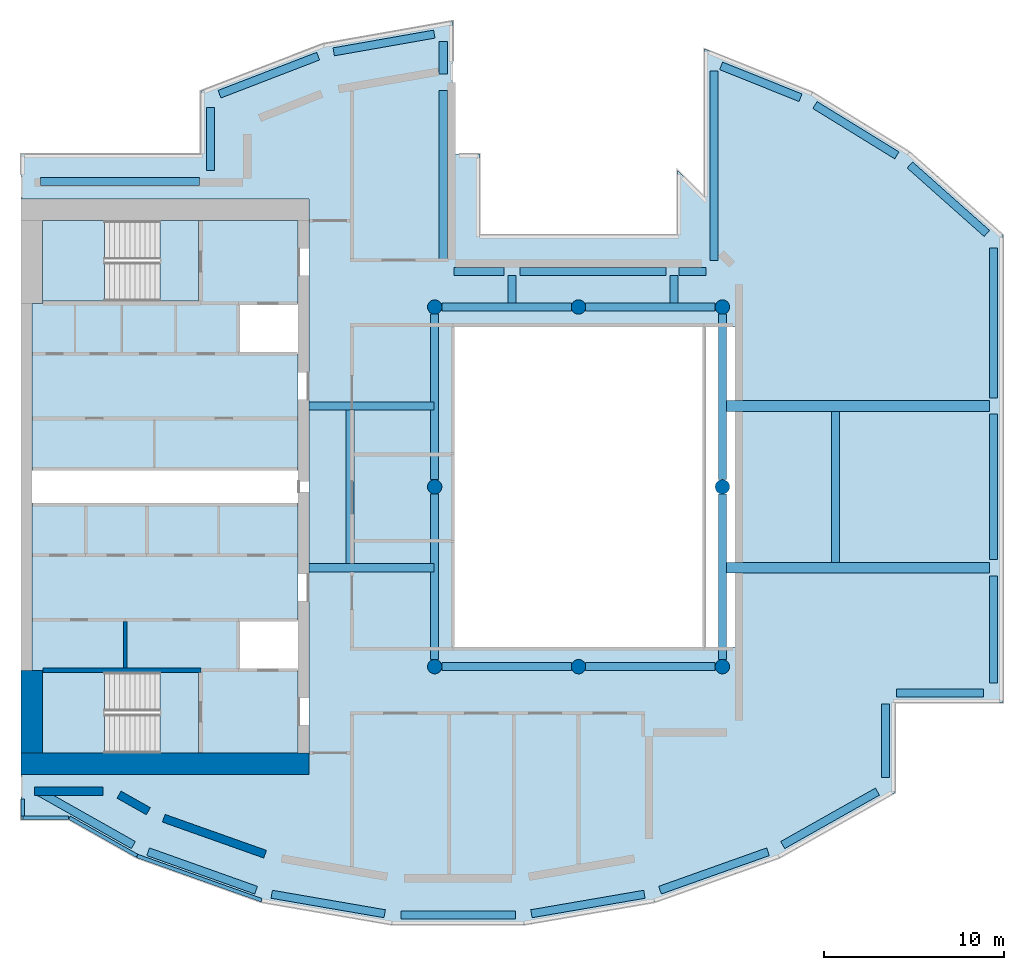
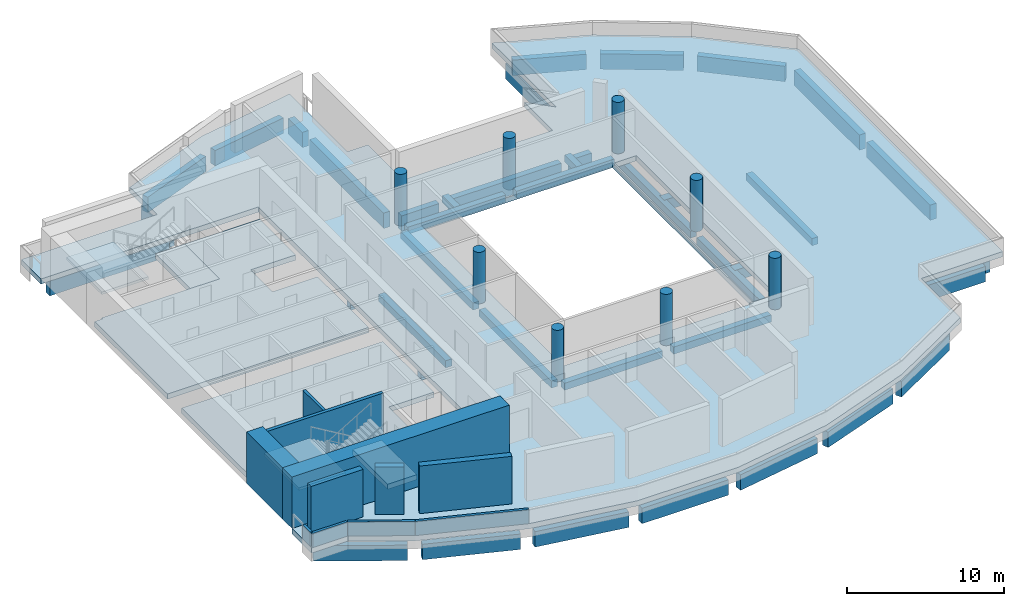
# One storey, part 1 of 8: 41 beams, 11 walls, 8 columns, 7 slabs, 2 elements without a shape of their own.
"""IFC4 building model written with IfcOpenShell, lengths in metres."""

from ifc_helpers import new_model, si_unit, direction, frame, frame_2d, origin, origin_2d, place, context, subcontext, project, spatial, polyline, rectangle, circle, outline, extrude, material, layer, layer_set, material_profile, profile_set, type_object, element, aggregate, save


model = new_model("IFC4")

# Units and contexts
model_context = context("Model", 3, precision=1e-05, world=origin(), true_north=direction((0.0, 1.0)))
body_context = subcontext(model_context, "Body", "Model", "MODEL_VIEW")
ifc_project = project(units=[si_unit("LENGTHUNIT", "METRE"), si_unit("AREAUNIT", "SQUARE_METRE"), si_unit("VOLUMEUNIT", "CUBIC_METRE"), si_unit("PLANEANGLEUNIT", "RADIAN"), si_unit("MASSUNIT", "GRAM", prefix="KILO")], contexts=[model_context])

# Site, building, storey
site_placement = place(None, origin())
site = spatial("IfcSite", under=ifc_project, at=site_placement, CompositionType="ELEMENT")
building_placement = place(site_placement, origin())
building = spatial("IfcBuilding", under=site, at=building_placement, Name="Cypress Arch Tower", CompositionType="ELEMENT")
storey_placement = place(building_placement, frame((0.0, 0.0, 343.0)))
storey = spatial("IfcBuildingStorey", under=building, at=storey_placement, Name="L78", CompositionType="ELEMENT", Elevation=343.0)

# Columns
ifc_material_1 = material(Name="Concrete C60/75", Category="concrete")
ifc_material_profile_1 = material_profile(ifc_material_1, circle(Radius=0.39990234375, at=origin_2d()), Name="RC D800")
ifc_profile_set_1 = profile_set([ifc_material_profile_1], Name="Concrete C60/75")
column_type = type_object("IfcColumnType", Name="Column RC D800 Concrete C60/75", PredefinedType="COLUMN", material=ifc_profile_set_1)
for number, where, z_axis, x_axis, name in (
    (1, (-7.0, -10.0, 0.0), (0.0, 0.0, 1.0), (1.0, 0.0, 0.0), "Column L78 RNG-L78-G-7-10"),
    (2, (-7.0, 0.0, 0.0), (0.0, 0.0, 1.0), (1.0, 0.0, 0.0), "Column L78 RNG-L78-G-7+0"),
    (3, (-7.0, 10.0, 0.0), (0.0, 0.0, 1.0), (1.0, 0.0, 0.0), "Column L78 RNG-L78-G-7+10"),
    (4, (1.0, -10.0, 0.0), (0.0, 0.0, 1.0), (1.0, 0.0, 0.0), "Column L78 RNG-L78-G+1-10"),
    (5, (1.0, 10.0, 0.0), (0.0, 0.0, 1.0), (1.0, 0.0, 0.0), "Column L78 RNG-L78-G+1+10"),
    (6, (9.0, -10.0, 0.0), (0.0, 0.0, 1.0), (1.0, 0.0, 0.0), "Column L78 RNG-L78-G+9-10"),
    (7, (9.0, 0.0, 0.0), (0.0, 0.0, 1.0), (1.0, 0.0, 0.0), "Column L78 RNG-L78-G+9+0"),
    (8, (9.0, 10.0, 0.0), (0.0, 0.0, 1.0), (1.0, 0.0, 0.0), "Column L78 RNG-L78-G+9+10"),
):
    element("IfcColumn", number, at=place(storey_placement, frame(where, z_axis=z_axis, x_axis=x_axis)), inside=storey, type_object=column_type, Name=name, PredefinedType="COLUMN", context=body_context, shape_type="SweptSolid", body=[
        extrude(circle(Radius=0.39990234375, at=origin_2d()), origin(), (0.0, 0.0, 1.0), 4.0),
    ])

# Beams
ifc_material_2 = material(Name="Concrete C50/60", Category="concrete")
ifc_material_profile_2 = material_profile(ifc_material_2, rectangle(XDim=0.449951171875, YDim=0.550048828125, at=origin_2d()), Name="RC 450x550")
ifc_profile_set_2 = profile_set([ifc_material_profile_2], Name="Concrete C50/60")
beam_type_1 = type_object("IfcBeamType", Name="Floor beam RC 450x550 Concrete C50/60", PredefinedType="BEAM", material=ifc_profile_set_2)
for number, where, z_axis, x_axis, name in (
    (9, (-7.0, -9.60009765625, -0.675048828125), (0.0, 1.0, 0.0), (-1.0, 0.0, 0.0), "Floor beam L78 RB001"),
    (10, (-7.0, 0.39990234375, -0.675048828125), (0.0, 1.0, 0.0), (-1.0, 0.0, 0.0), "Floor beam L78 RB002"),
    (11, (9.0, -9.60009765625, -0.675048828125), (0.0, 1.0, 0.0), (-1.0, 0.0, 0.0), "Floor beam L78 RB003"),
    (12, (9.0, 0.39990234375, -0.675048828125), (0.0, 1.0, 0.0), (-1.0, 0.0, 0.0), "Floor beam L78 RB004"),
):
    element("IfcBeam", number, at=place(storey_placement, frame(where, z_axis=z_axis, x_axis=x_axis)), inside=storey, type_object=beam_type_1, Name=name, PredefinedType="BEAM", context=body_context, shape_type="SweptSolid", body=[
        extrude(rectangle(XDim=0.449951171875, YDim=0.550048828125, at=origin_2d()), origin(), (0.0, 0.0, 1.0), 9.2001953125),
    ])
for number, where, z_axis, x_axis, name in (
    (13, (-6.60009765625, -10.0, -0.675048828125), (1.0, 0.0, 0.0), (0.0, 1.0, 0.0), "Floor beam L78 RB005"),
    (14, (1.39990234375, -10.0, -0.675048828125), (1.0, 0.0, 0.0), (0.0, 1.0, 0.0), "Floor beam L78 RB006"),
    (15, (-6.60009765625, 10.0, -0.675048828125), (1.0, 0.0, 0.0), (0.0, 1.0, 0.0), "Floor beam L78 RB007"),
    (16, (1.39990234375, 10.0, -0.675048828125), (1.0, 0.0, 0.0), (0.0, 1.0, 0.0), "Floor beam L78 RB008"),
):
    element("IfcBeam", number, at=place(storey_placement, frame(where, z_axis=z_axis, x_axis=x_axis)), inside=storey, type_object=beam_type_1, Name=name, PredefinedType="BEAM", context=body_context, shape_type="SweptSolid", body=[
        extrude(rectangle(XDim=0.449951171875, YDim=0.550048828125, at=origin_2d()), origin(), (0.0, 0.0, 1.0), 7.2001953125),
    ])
for number, where, z_axis, x_axis, name in (
    (17, (-14.0, -4.5, -0.675048828125), (1.0, 0.0, 0.0), (0.0, 1.0, 0.0), "Floor beam L78 FB009"),
    (18, (-14.0, 4.5, -0.675048828125), (1.0, 0.0, 0.0), (0.0, 1.0, 0.0), "Floor beam L78 FB011"),
):
    element("IfcBeam", number, at=place(storey_placement, frame(where, z_axis=z_axis, x_axis=x_axis)), inside=storey, type_object=beam_type_1, Name=name, PredefinedType="BEAM", context=body_context, shape_type="SweptSolid", body=[
        extrude(rectangle(XDim=0.449951171875, YDim=0.550048828125, at=origin_2d()), origin(), (0.0, 0.0, 1.0), 6.949951171875),
    ])
beam_1_placement = place(storey_placement, frame((-11.699951171875, -4.27490234375, -0.675048828125), z_axis=(0.0, 1.0, 0.0), x_axis=(-1.0, 0.0, 0.0)))
element("IfcBeam", 19, at=beam_1_placement, inside=storey, type_object=beam_type_1, Name="Floor beam L78 FB013", PredefinedType="BEAM", context=body_context, shape_type="SweptSolid", body=[
    extrude(rectangle(XDim=0.449951171875, YDim=0.550048828125, at=origin_2d()), origin(), (0.0, 0.0, 1.0), 8.5498046875),
])
for number, where, z_axis, x_axis, name in (
    (20, (-2.699951171875, 10.22509765625, -0.675048828125), (0.0, 1.0, 0.0), (-1.0, 0.0, 0.0), "Floor beam L78 FB014"),
    (21, (6.300048828125, 10.22509765625, -0.675048828125), (0.0, 1.0, 0.0), (-1.0, 0.0, 0.0), "Floor beam L78 FB015"),
):
    element("IfcBeam", number, at=place(storey_placement, frame(where, z_axis=z_axis, x_axis=x_axis)), inside=storey, type_object=beam_type_1, Name=name, PredefinedType="BEAM", context=body_context, shape_type="SweptSolid", body=[
        extrude(rectangle(XDim=0.449951171875, YDim=0.550048828125, at=origin_2d()), origin(), (0.0, 0.0, 1.0), 1.52490234375),
    ])
beam_2_placement = place(storey_placement, frame((15.300048828125, -4.199951171875, -0.675048828125), z_axis=(0.0, 1.0, 0.0), x_axis=(-1.0, 0.0, 0.0)))
element("IfcBeam", 22, at=beam_2_placement, inside=storey, type_object=beam_type_1, Name="Floor beam L78 FB016", PredefinedType="BEAM", context=body_context, shape_type="SweptSolid", body=[
    extrude(rectangle(XDim=0.449951171875, YDim=0.550048828125, at=origin_2d()), origin(), (0.0, 0.0, 1.0), 8.39990234375),
])
ifc_material_3 = material(Name="Concrete C50/60", Category="concrete")
ifc_material_profile_3 = material_profile(ifc_material_3, rectangle(XDim=0.60009765625, YDim=0.85009765625, at=origin_2d()), Name="RC 600x850")
ifc_profile_set_3 = profile_set([ifc_material_profile_3], Name="Concrete C50/60")
beam_type_2 = type_object("IfcBeamType", Name="Floor beam RC 600x850 Concrete C50/60", PredefinedType="BEAM", material=ifc_profile_set_3)
for number, where, z_axis, x_axis, name in (
    (23, (9.050048828125, -4.5, -0.824951171875), (1.0, 0.0, 0.0), (0.0, 1.0, 0.0), "Floor beam L78 FB010"),
    (24, (9.050048828125, 4.5, -0.824951171875), (1.0, 0.0, 0.0), (0.0, 1.0, 0.0), "Floor beam L78 FB012"),
):
    element("IfcBeam", number, at=place(storey_placement, frame(where, z_axis=z_axis, x_axis=x_axis)), inside=storey, type_object=beam_type_2, Name=name, PredefinedType="BEAM", context=body_context, shape_type="SweptSolid", body=[
        extrude(rectangle(XDim=0.60009765625, YDim=0.85009765625, at=origin_2d()), origin(), (0.0, 0.0, 1.0), 14.800048828125),
    ])
ifc_material_4 = material(Name="Concrete C50/60", Category="concrete")
ifc_material_profile_4 = material_profile(ifc_material_4, rectangle(XDim=0.449951171875, YDim=1.199951171875, at=origin_2d()), Name="RC 450x1200")
ifc_profile_set_4 = profile_set([ifc_material_profile_4], Name="Concrete C50/60")
beam_type_3 = type_object("IfcBeamType", Name="Spandrel beam RC 450x1200 Concrete C50/60", PredefinedType="SPANDREL", material=ifc_profile_set_4)
beam_3_placement = place(storey_placement, frame((8.52490234375, 23.138427734375, -1.550048828125), z_axis=(0.0, -1.0, 0.0), x_axis=(1.0, 0.0, 0.0)))
element("IfcBeam", 25, at=beam_3_placement, inside=storey, type_object=beam_type_3, Name="Spandrel beam L78 BC00-0", PredefinedType="SPANDREL", context=body_context, shape_type="SweptSolid", body=[
    extrude(rectangle(XDim=0.449951171875, YDim=1.199951171875, at=origin_2d()), origin(), (0.0, 0.0, 1.0), 10.55078125),
])
beam_4_placement = place(storey_placement, frame((8.081298828125, 11.97509765625, -1.550048828125), z_axis=(-1.0, 0.0, 0.0), x_axis=(0.0, -1.0, 0.0)))
element("IfcBeam", 26, at=beam_4_placement, inside=storey, type_object=beam_type_3, Name="Spandrel beam L78 BC01-0", PredefinedType="SPANDREL", context=body_context, shape_type="SweptSolid", body=[
    extrude(rectangle(XDim=0.449951171875, YDim=1.199951171875, at=origin_2d()), origin(), (0.0, 0.0, 1.0), 1.5),
])
beam_5_placement = place(storey_placement, frame((5.85009765625, 11.97509765625, -1.550048828125), z_axis=(-1.0, 0.0, 0.0), x_axis=(0.0, -1.0, 0.0)))
element("IfcBeam", 27, at=beam_5_placement, inside=storey, type_object=beam_type_3, Name="Spandrel beam L78 BC01-1", PredefinedType="SPANDREL", context=body_context, shape_type="SweptSolid", body=[
    extrude(rectangle(XDim=0.449951171875, YDim=1.199951171875, at=origin_2d()), origin(), (0.0, 0.0, 1.0), 8.10009765625),
])
beam_6_placement = place(storey_placement, frame((-3.14990234375, 11.97509765625, -1.550048828125), z_axis=(-1.0, 0.0, 0.0), x_axis=(0.0, -1.0, 0.0)))
element("IfcBeam", 28, at=beam_6_placement, inside=storey, type_object=beam_type_3, Name="Spandrel beam L78 BC01-2", PredefinedType="SPANDREL", context=body_context, shape_type="SweptSolid", body=[
    extrude(rectangle(XDim=0.449951171875, YDim=1.199951171875, at=origin_2d()), origin(), (0.0, 0.0, 1.0), 2.762451171875),
])
beam_7_placement = place(storey_placement, frame((-6.52490234375, 12.587646484375, -1.550048828125), z_axis=(0.0, 1.0, 0.0), x_axis=(-1.0, 0.0, 0.0)))
element("IfcBeam", 29, at=beam_7_placement, inside=storey, type_object=beam_type_3, Name="Spandrel beam L78 BC02-0", PredefinedType="SPANDREL", context=body_context, shape_type="SweptSolid", body=[
    extrude(rectangle(XDim=0.449951171875, YDim=1.199951171875, at=origin_2d()), origin(), (0.0, 0.0, 1.0), 9.46240234375),
])
beam_8_placement = place(storey_placement, frame((-6.52490234375, 22.949951171875, -1.550048828125), z_axis=(0.0, 1.0, 0.0), x_axis=(-1.0, 0.0, 0.0)))
element("IfcBeam", 30, at=beam_8_placement, inside=storey, type_object=beam_type_3, Name="Spandrel beam L78 BC02-1", PredefinedType="SPANDREL", context=body_context, shape_type="SweptSolid", body=[
    extrude(rectangle(XDim=0.449951171875, YDim=1.199951171875, at=origin_2d()), origin(), (0.0, 0.0, 1.0), 1.810302734375),
])
beam_9_placement = place(storey_placement, frame((-7.021484375, 25.1767578125, -1.550048828125), z_axis=(-0.984798704294, -0.173699487682, 0.0), x_axis=(0.173699487682, -0.984798704294, 0.0)))
element("IfcBeam", 31, at=beam_9_placement, inside=storey, type_object=beam_type_3, Name="Spandrel beam L78 BC03-0", PredefinedType="SPANDREL", context=body_context, shape_type="SweptSolid", body=[
    extrude(rectangle(XDim=0.449951171875, YDim=1.199951171875, at=origin_2d()), origin(), (0.0, 0.0, 1.0), 5.678466796875),
])
beam_10_placement = place(storey_placement, frame((-13.48046875, 23.94921875, -1.550048828125), z_axis=(-0.933138853319, -0.359516175472, 0.0), x_axis=(0.359516175472, -0.933138853319, 0.0)))
element("IfcBeam", 32, at=beam_10_placement, inside=storey, type_object=beam_type_3, Name="Spandrel beam L78 BC04-0", PredefinedType="SPANDREL", context=body_context, shape_type="SweptSolid", body=[
    extrude(rectangle(XDim=0.449951171875, YDim=1.199951171875, at=origin_2d()), origin(), (0.0, 0.0, 1.0), 5.878173828125),
])
beam_11_placement = place(storey_placement, frame((-19.47509765625, 21.09375, -1.550048828125), z_axis=(0.0, -1.0, 0.0), x_axis=(1.0, 0.0, 0.0)))
element("IfcBeam", 33, at=beam_11_placement, inside=storey, type_object=beam_type_3, Name="Spandrel beam L78 BC05-0", PredefinedType="SPANDREL", context=body_context, shape_type="SweptSolid", body=[
    extrude(rectangle(XDim=0.449951171875, YDim=1.199951171875, at=origin_2d()), origin(), (0.0, 0.0, 1.0), 3.506103515625),
])
beam_12_placement = place(storey_placement, frame((-20.087646484375, 16.97509765625, -1.550048828125), z_axis=(-1.0, 0.0, 0.0), x_axis=(0.0, -1.0, 0.0)))
element("IfcBeam", 34, at=beam_12_placement, inside=storey, type_object=beam_type_3, Name="Spandrel beam L78 BC06-0", PredefinedType="SPANDREL", context=body_context, shape_type="SweptSolid", body=[
    extrude(rectangle(XDim=0.449951171875, YDim=1.199951171875, at=origin_2d()), origin(), (0.0, 0.0, 1.0), 8.828125),
])
beam_13_placement = place(storey_placement, frame((-29.02099609375, -16.94921875, -1.550048828125), z_axis=(0.871059543975, -0.491177433165, 0.0), x_axis=(0.491177433165, 0.871059543975, 0.0)))
element("IfcBeam", 35, at=beam_13_placement, inside=storey, type_object=beam_type_3, Name="Spandrel beam L78 BC08-0", PredefinedType="SPANDREL", context=body_context, shape_type="SweptSolid", body=[
    extrude(rectangle(XDim=0.449951171875, YDim=1.199951171875, at=origin_2d()), origin(), (0.0, 0.0, 1.0), 6.045654296875),
])
beam_14_placement = place(storey_placement, frame((-22.93603515625, -20.2919921875, -1.550048828125), z_axis=(0.942120065582, -0.33527568064, 0.0), x_axis=(0.33527568064, 0.942120065582, 0.0)))
element("IfcBeam", 36, at=beam_14_placement, inside=storey, type_object=beam_type_3, Name="Spandrel beam L78 BC09-0", PredefinedType="SPANDREL", context=body_context, shape_type="SweptSolid", body=[
    extrude(rectangle(XDim=0.449951171875, YDim=1.199951171875, at=origin_2d()), origin(), (0.0, 0.0, 1.0), 6.373046875),
])
beam_15_placement = place(storey_placement, frame((-16.061279296875, -22.656982421875, -1.550048828125), z_axis=(0.985502990778, -0.169658053646, 0.0), x_axis=(0.169658053646, 0.985502990778, 0.0)))
element("IfcBeam", 37, at=beam_15_placement, inside=storey, type_object=beam_type_3, Name="Spandrel beam L78 BC10-0", PredefinedType="SPANDREL", context=body_context, shape_type="SweptSolid", body=[
    extrude(rectangle(XDim=0.449951171875, YDim=1.199951171875, at=origin_2d()), origin(), (0.0, 0.0, 1.0), 6.373291015625),
])
beam_16_placement = place(storey_placement, frame((-8.883544921875, -23.81494140625, -1.550048828125), z_axis=(1.0, 0.0, 0.0), x_axis=(0.0, 1.0, 0.0)))
element("IfcBeam", 38, at=beam_16_placement, inside=storey, type_object=beam_type_3, Name="Spandrel beam L78 BC11-0", PredefinedType="SPANDREL", context=body_context, shape_type="SweptSolid", body=[
    extrude(rectangle(XDim=0.449951171875, YDim=1.199951171875, at=origin_2d()), origin(), (0.0, 0.0, 1.0), 6.366943359375),
])
beam_17_placement = place(storey_placement, frame((-1.619873046875, -23.73828125, -1.550048828125), z_axis=(0.985504093315, 0.169651649149, 0.0), x_axis=(-0.169651649149, 0.985504093315, 0.0)))
element("IfcBeam", 39, at=beam_17_placement, inside=storey, type_object=beam_type_3, Name="Spandrel beam L78 BC12-0", PredefinedType="SPANDREL", context=body_context, shape_type="SweptSolid", body=[
    extrude(rectangle(XDim=0.449951171875, YDim=1.199951171875, at=origin_2d()), origin(), (0.0, 0.0, 1.0), 6.37353515625),
])
beam_18_placement = place(storey_placement, frame((5.531982421875, -22.4287109375, -1.550048828125), z_axis=(0.942115759102, 0.335287781541, 0.0), x_axis=(-0.335287781541, 0.942115759102, 0.0)))
element("IfcBeam", 40, at=beam_18_placement, inside=storey, type_object=beam_type_3, Name="Spandrel beam L78 BC13-0", PredefinedType="SPANDREL", context=body_context, shape_type="SweptSolid", body=[
    extrude(rectangle(XDim=0.449951171875, YDim=1.199951171875, at=origin_2d()), origin(), (0.0, 0.0, 1.0), 6.372802734375),
])
beam_19_placement = place(storey_placement, frame((12.35498046875, -19.918701171875, -1.550048828125), z_axis=(0.871059543975, 0.491177433165, 0.0), x_axis=(-0.491177433165, 0.871059543975, 0.0)))
element("IfcBeam", 41, at=beam_19_placement, inside=storey, type_object=beam_type_3, Name="Spandrel beam L78 BC14-0", PredefinedType="SPANDREL", context=body_context, shape_type="SweptSolid", body=[
    extrude(rectangle(XDim=0.449951171875, YDim=1.199951171875, at=origin_2d()), origin(), (0.0, 0.0, 1.0), 6.045654296875),
])
beam_20_placement = place(storey_placement, frame((18.074951171875, -16.172119140625, -1.550048828125), z_axis=(0.0, 1.0, 0.0), x_axis=(-1.0, 0.0, 0.0)))
element("IfcBeam", 42, at=beam_20_placement, inside=storey, type_object=beam_type_3, Name="Spandrel beam L78 BC15-0", PredefinedType="SPANDREL", context=body_context, shape_type="SweptSolid", body=[
    extrude(rectangle(XDim=0.449951171875, YDim=1.199951171875, at=origin_2d()), origin(), (0.0, 0.0, 1.0), 4.08447265625),
])
beam_21_placement = place(storey_placement, frame((18.6875, -11.47509765625, -1.550048828125), z_axis=(1.0, 0.0, 0.0), x_axis=(0.0, 1.0, 0.0)))
element("IfcBeam", 43, at=beam_21_placement, inside=storey, type_object=beam_type_3, Name="Spandrel beam L78 BC16-0", PredefinedType="SPANDREL", context=body_context, shape_type="SweptSolid", body=[
    extrude(rectangle(XDim=0.449951171875, YDim=1.199951171875, at=origin_2d()), origin(), (0.0, 0.0, 1.0), 4.828369140625),
])
beam_22_placement = place(storey_placement, frame((24.074951171875, -10.915771484375, -1.550048828125), z_axis=(0.0, 1.0, 0.0), x_axis=(-1.0, 0.0, 0.0)))
element("IfcBeam", 44, at=beam_22_placement, inside=storey, type_object=beam_type_3, Name="Spandrel beam L78 BC17-0", PredefinedType="SPANDREL", context=body_context, shape_type="SweptSolid", body=[
    extrude(rectangle(XDim=0.449951171875, YDim=1.199951171875, at=origin_2d()), origin(), (0.0, 0.0, 1.0), 5.9658203125),
])
beam_23_placement = place(storey_placement, frame((24.074951171875, -4.050048828125, -1.550048828125), z_axis=(0.0, 1.0, 0.0), x_axis=(-1.0, 0.0, 0.0)))
element("IfcBeam", 45, at=beam_23_placement, inside=storey, type_object=beam_type_3, Name="Spandrel beam L78 BC17-1", PredefinedType="SPANDREL", context=body_context, shape_type="SweptSolid", body=[
    extrude(rectangle(XDim=0.449951171875, YDim=1.199951171875, at=origin_2d()), origin(), (0.0, 0.0, 1.0), 8.10009765625),
])
beam_24_placement = place(storey_placement, frame((24.074951171875, 4.949951171875, -1.550048828125), z_axis=(0.0, 1.0, 0.0), x_axis=(-1.0, 0.0, 0.0)))
element("IfcBeam", 46, at=beam_24_placement, inside=storey, type_object=beam_type_3, Name="Spandrel beam L78 BC17-2", PredefinedType="SPANDREL", context=body_context, shape_type="SweptSolid", body=[
    extrude(rectangle(XDim=0.449951171875, YDim=1.199951171875, at=origin_2d()), origin(), (0.0, 0.0, 1.0), 8.32080078125),
])
beam_25_placement = place(storey_placement, frame((23.706298828125, 14.091796875, -1.550048828125), z_axis=(-0.747555073917, 0.664199827959, 0.0), x_axis=(-0.664199827959, -0.747555073917, 0.0)))
element("IfcBeam", 47, at=beam_25_placement, inside=storey, type_object=beam_type_3, Name="Spandrel beam L78 BC18-0", PredefinedType="SPANDREL", context=body_context, shape_type="SweptSolid", body=[
    extrude(rectangle(XDim=0.449951171875, YDim=1.199951171875, at=origin_2d()), origin(), (0.0, 0.0, 1.0), 5.72900390625),
])
beam_26_placement = place(storey_placement, frame((18.700927734375, 18.43359375, -1.550048828125), z_axis=(-0.851880940975, 0.523735488966, 0.0), x_axis=(-0.523735488966, -0.851880940975, 0.0)))
element("IfcBeam", 48, at=beam_26_placement, inside=storey, type_object=beam_type_3, Name="Spandrel beam L78 BC19-0", PredefinedType="SPANDREL", context=body_context, shape_type="SweptSolid", body=[
    extrude(rectangle(XDim=0.449951171875, YDim=1.199951171875, at=origin_2d()), origin(), (0.0, 0.0, 1.0), 5.344970703125),
])
beam_27_placement = place(storey_placement, frame((13.343994140625, 21.6376953125, -1.550048828125), z_axis=(-0.927944947452, 0.372717284948, 0.0), x_axis=(-0.372717284948, -0.927944947452, 0.0)))
element("IfcBeam", 49, at=beam_27_placement, inside=storey, type_object=beam_type_3, Name="Spandrel beam L78 BC20-0", PredefinedType="SPANDREL", context=body_context, shape_type="SweptSolid", body=[
    extrude(rectangle(XDim=0.449951171875, YDim=1.199951171875, at=origin_2d()), origin(), (0.0, 0.0, 1.0), 4.758056640625),
])

# Slabs
ifc_material_5 = material(Name="Concrete C40/50", Category="concrete")
ifc_layer_1 = layer(ifc_material_5, 0.402099609375)
ifc_layer_set_1 = layer_set([ifc_layer_1], Name="Core floor CF402")
slab_type_1 = type_object("IfcSlabType", Name="Core floor CF402", PredefinedType="FLOOR", material=ifc_layer_set_1)
slab_1_placement = place(storey_placement, frame((0.0, 0.0, -0.402099609375)))
element("IfcSlab", 50, at=slab_1_placement, inside=storey, type_object=slab_type_1, Name="Core floor", PredefinedType="FLOOR", context=body_context, shape_type="SweptSolid", body=[
    extrude(outline(polyline([(-28.800048828125, -10.199951171875), (-29.0, -10.199951171875), (-29.39990234375, -10.199951171875), (-29.39990234375, -0.89990234375), (-29.0, -0.89990234375), (-15.0, -0.89990234375), (-14.60009765625, -0.89990234375), (-14.60009765625, -7.39990234375), (-15.0, -7.39990234375), (-17.919921875, -7.39990234375), (-17.919921875, -10.199951171875), (-15.0, -10.199951171875), (-14.60009765625, -10.199951171875), (-14.60009765625, -14.800048828125), (-15.0, -14.800048828125), (-20.125, -14.800048828125), (-20.125, -10.324951171875), (-22.27490234375, -10.324951171875), (-28.800048828125, -10.324951171875), (-28.800048828125, -10.199951171875)])), origin(), (0.0, 0.0, 1.0), 0.402099609375),
])
slab_2_placement = place(storey_placement, frame((0.0, 0.0, -0.402099609375)))
element("IfcSlab", 51, at=slab_2_placement, inside=storey, type_object=slab_type_1, Name="Core floor", PredefinedType="FLOOR", context=body_context, shape_type="SweptSolid", body=[
    extrude(outline(polyline([(-22.27490234375, -10.324951171875), (-22.27490234375, -14.800048828125), (-20.125, -14.800048828125), (-20.125, -10.324951171875), (-22.27490234375, -10.324951171875)])), origin(), (0.0, 0.0, 1.0), 0.402099609375),
])
slab_3_placement = place(storey_placement, frame((0.0, 0.0, -0.402099609375)))
element("IfcSlab", 52, at=slab_3_placement, inside=storey, type_object=slab_type_1, Name="Core floor", PredefinedType="FLOOR", context=body_context, shape_type="SweptSolid", body=[
    extrude(outline(polyline([(-20.125, 14.800048828125), (-22.27490234375, 14.800048828125), (-22.27490234375, 10.324951171875), (-20.125, 10.324951171875), (-20.125, 14.800048828125)])), origin(), (0.0, 0.0, 1.0), 0.402099609375),
])
slab_4_placement = place(storey_placement, frame((0.0, 0.0, -0.402099609375)))
element("IfcSlab", 53, at=slab_4_placement, inside=storey, type_object=slab_type_1, Name="Core floor", PredefinedType="FLOOR", context=body_context, shape_type="SweptSolid", body=[
    extrude(outline(polyline([(-22.27490234375, 10.324951171875), (-20.125, 10.324951171875), (-20.125, 14.800048828125), (-15.0, 14.800048828125), (-14.60009765625, 14.800048828125), (-14.60009765625, 10.199951171875), (-15.0, 10.199951171875), (-17.919921875, 10.199951171875), (-17.919921875, 7.39990234375), (-15.0, 7.39990234375), (-14.60009765625, 7.39990234375), (-14.60009765625, 1.5), (-14.60009765625, 0.89990234375), (-15.0, 0.89990234375), (-29.0, 0.89990234375), (-29.39990234375, 0.89990234375), (-29.39990234375, 1.5), (-29.39990234375, 10.199951171875), (-29.0, 10.199951171875), (-28.800048828125, 10.199951171875), (-28.800048828125, 10.324951171875), (-22.27490234375, 10.324951171875)])), origin(), (0.0, 0.0, 1.0), 0.402099609375),
])
ifc_material_6 = material(Name="Concrete C40/50", Category="concrete")
ifc_layer_2 = layer(ifc_material_6, 0.39990234375)
ifc_layer_set_2 = layer_set([ifc_layer_2], Name="PT flat slab 400 Concrete C40/50")
slab_type_2 = type_object("IfcSlabType", Name="PT flat slab 400 Concrete C40/50", PredefinedType="FLOOR", material=ifc_layer_set_2)
slab_5_placement = place(storey_placement, frame((0.0, 0.0, -0.39990234375)))
element("IfcSlab", 54, at=slab_5_placement, inside=storey, type_object=slab_type_2, Name="Floor slab L78", PredefinedType="FLOOR", context=body_context, shape_type="SweptSolid", body=[
    extrude(outline(polyline([(8.0, 16.121337890625), (8.0, 24.35009765625), (14.0, 21.93994140625), (19.39990234375, 18.6201171875), (24.60009765625, 14.0), (24.60009765625, -12.0), (18.60009765625, -12.0), (18.60009765625, -17.0), (12.179931640625, -20.6201171875), (5.239990234375, -23.090087890625), (-2.02001953125, -24.340087890625), (-9.3798828125, -24.340087890625), (-16.639892578125, -23.090087890625), (-23.580078125, -20.6201171875), (-27.33984375, -18.5), (-30.0, -18.5), (-30.0, -17.0), (-30.0, -16.0), (-14.0, -16.0), (-14.0, 16.0), (-30.0, 16.0), (-30.0, 17.5), (-30.0, 18.5), (-20.0, 18.5), (-20.0, 22.0), (-13.199951171875, 24.6201171875), (-6.0, 25.889892578125), (-6.0, 18.5), (-4.5, 18.5), (-4.5, 14.0), (6.5, 14.0), (6.5, 17.621337890625), (8.0, 16.121337890625)]), holes=[polyline([(8.10009765625, -8.89990234375), (9.699951171875, -8.89990234375), (9.699951171875, 8.89990234375), (8.10009765625, 8.89990234375), (8.10009765625, -8.89990234375)]), polyline([(8.0, 9.0), (-6.0, 9.0), (-6.0, -9.0), (8.0, -9.0), (8.0, 9.0)])]), origin(), (0.0, 0.0, 1.0), 0.39990234375),
])

# Stair, slab
ifc_material_7 = material(Name="Concrete C40/50", Category="concrete")
stair_type = type_object("IfcStairType", Name="Exit stair ES1667-215", PredefinedType="HALF_TURN_STAIR", material=ifc_material_7)
stair_1_placement = place(storey_placement, origin())
stair_1 = element("IfcStair", 55, at=stair_1_placement, inside=storey, type_object=stair_type, Name="L78 Exit stair A", PredefinedType="HALF_TURN_STAIR")
ifc_material_8 = material(Name="Concrete C40/50", Category="concrete")
ifc_layer_3 = layer(ifc_material_8, 0.199951171875)
ifc_layer_set_3 = layer_set([ifc_layer_3], Name="Stair landing SL200")
slab_type_3 = type_object("IfcSlabType", Name="Stair landing SL200", PredefinedType="LANDING", material=ifc_layer_set_3)
slab_6_placement = place(storey_placement, frame((0.0, 0.0, 1.800048828125)))
slab_6 = element("IfcSlab", 56, at=slab_6_placement, type_object=slab_type_3, Name="A landing 1", PredefinedType="LANDING", context=body_context, shape_type="SweptSolid", body=[
    extrude(outline(polyline([(-25.35498046875, -10.324951171875), (-28.800048828125, -10.324951171875), (-28.800048828125, -14.800048828125), (-25.35498046875, -14.800048828125), (-25.35498046875, -10.324951171875)])), origin(), (0.0, 0.0, 1.0), 0.199951171875),
])
aggregate(stair_1, [slab_6])

stair_2_placement = place(storey_placement, origin())
stair_2 = element("IfcStair", 57, at=stair_2_placement, inside=storey, type_object=stair_type, Name="L78 Exit stair B", PredefinedType="HALF_TURN_STAIR")
slab_7_placement = place(storey_placement, frame((0.0, 0.0, 1.800048828125)))
slab_7 = element("IfcSlab", 58, at=slab_7_placement, type_object=slab_type_3, Name="B landing 1", PredefinedType="LANDING", context=body_context, shape_type="SweptSolid", body=[
    extrude(outline(polyline([(-25.35498046875, 14.800048828125), (-28.800048828125, 14.800048828125), (-28.800048828125, 10.324951171875), (-25.35498046875, 10.324951171875), (-25.35498046875, 14.800048828125)])), origin(), (0.0, 0.0, 1.0), 0.199951171875),
])
aggregate(stair_2, [slab_7])

# Walls
ifc_material_9 = material(Name="Brick (red buff blend)", Category="masonry")
ifc_layer_4 = layer(ifc_material_9, 0.449951171875)
ifc_layer_set_4 = layer_set([ifc_layer_4], Name="Brick belt wall BW450-B")
wall_type_1 = type_object("IfcWallType", Name="Brick belt wall BW450-B", PredefinedType="SOLIDWALL", material=ifc_layer_set_4)
wall_1_placement = place(storey_placement, frame((-29.25, -16.925048828125, 0.0), z_axis=(0.0, 0.0, 1.0), x_axis=(1.0, 0.0, 0.0)))
element("IfcWall", 59, at=wall_1_placement, inside=storey, type_object=wall_type_1, Name="Brick wall L78 K00.0", PredefinedType="SOLIDWALL", context=body_context, shape_type="SweptSolid", body=[
    extrude(rectangle(XDim=3.8056640625, YDim=0.449951171875, at=frame_2d((1.90283203125, 0.0))), origin(), (0.0, 0.0, 1.0), 3.699951171875),
])
wall_2_placement = place(storey_placement, frame((-24.550048828125, -17.117431640625, 0.0), z_axis=(0.0, 0.0, 1.0), x_axis=(0.8704776513, -0.492207942427, 0.0)))
element("IfcWall", 60, at=wall_2_placement, inside=storey, type_object=wall_type_1, Name="Brick wall L78 K01.0", PredefinedType="SOLIDWALL", context=body_context, shape_type="SweptSolid", body=[
    extrude(rectangle(XDim=1.868408203125, YDim=0.449951171875, at=frame_2d((0.93408203125, 0.0))), origin(), (0.0, 0.0, 1.0), 3.699951171875),
])
wall_3_placement = place(storey_placement, frame((-22.066162109375, -18.428466796875, 0.0), z_axis=(0.0, 0.0, 1.0), x_axis=(0.942451811453, -0.334342015142, 0.0)))
element("IfcWall", 61, at=wall_3_placement, inside=storey, type_object=wall_type_1, Name="Brick wall L78 K02.0", PredefinedType="SOLIDWALL", context=body_context, shape_type="SweptSolid", body=[
    extrude(rectangle(XDim=5.981201171875, YDim=0.449951171875, at=frame_2d((2.99072265625, 0.0))), origin(), (0.0, 0.0, 1.0), 3.699951171875),
])
ifc_material_10 = material(Name="Concrete C50/60", Category="concrete")
ifc_layer_5 = layer(ifc_material_10, 1.199951171875)
ifc_layer_set_5 = layer_set([ifc_layer_5], Name="Core wall CW1200 C50/60")
wall_type_2 = type_object("IfcWallType", Name="Core wall CW1200 C50/60", PredefinedType="SHEAR", material=ifc_layer_set_5)
wall_4_placement = place(storey_placement, frame((-30.0, -15.39990234375, 0.0), z_axis=(0.0, 0.0, 1.0), x_axis=(1.0, 0.0, 0.0)))
element("IfcWall", 62, at=wall_4_placement, inside=storey, type_object=wall_type_2, Name="Core wall", PredefinedType="SHEAR", context=body_context, shape_type="SweptSolid", body=[
    extrude(rectangle(XDim=16.0, YDim=1.199951171875, at=frame_2d((8.0, 0.0))), origin(), (0.0, 0.0, 1.0), 4.0),
])
wall_5_placement = place(storey_placement, frame((-29.39990234375, -14.800048828125, 0.0), z_axis=(0.0, 0.0, 1.0), x_axis=(0.0, 1.0, 0.0)))
element("IfcWall", 63, at=wall_5_placement, inside=storey, type_object=wall_type_2, Name="Core wall", PredefinedType="SHEAR", context=body_context, shape_type="SweptSolid", body=[
    extrude(rectangle(XDim=4.60009765625, YDim=1.199951171875, at=frame_2d((2.300048828125, 0.0))), origin(), (0.0, 0.0, 1.0), 4.0),
])
ifc_material_11 = material(Name="Reinforced blockwork, plastered, rated", Category="masonry")
ifc_layer_6 = layer(ifc_material_11, 0.199951171875)
ifc_layer_set_6 = layer_set([ifc_layer_6], Name="Plant and riser wall PL200")
wall_type_3 = type_object("IfcWallType", Name="Plant and riser wall PL200", PredefinedType="PARTITIONING", material=ifc_layer_set_6)
wall_6_placement = place(storey_placement, frame((-24.199951171875, -10.074951171875, 0.0), z_axis=(0.0, 0.0, 1.0), x_axis=(0.0, 1.0, 0.0)))
element("IfcWall", 64, at=wall_6_placement, inside=storey, type_object=wall_type_3, Name="Plant and riser wall", PredefinedType="PARTITIONING", context=body_context, shape_type="SweptSolid", body=[
    extrude(rectangle(XDim=2.574951171875, YDim=0.199951171875, at=frame_2d((1.28759765625, 0.0))), origin(), (0.0, 0.0, 1.0), 3.597900390625),
])
ifc_material_12 = material(Name="Concrete C40/50", Category="concrete")
ifc_layer_7 = layer(ifc_material_12, 0.199951171875)
ifc_layer_set_7 = layer_set([ifc_layer_7], Name="Roof parapet 200 Concrete C40/50")
wall_type_4 = type_object("IfcWallType", Name="Roof parapet 200 Concrete C40/50", PredefinedType="SOLIDWALL", material=ifc_layer_set_7)
wall_7_placement = place(storey_placement, frame((-16.63330078125, -22.986083984375, 0.0), z_axis=(0.0, 0.0, 1.0), x_axis=(-0.942111370857, 0.335300111694, 0.0)))
element("IfcWall", 65, at=wall_7_placement, inside=storey, type_object=wall_type_4, Name="Roof parapet L78 15", PredefinedType="SOLIDWALL", context=body_context, shape_type="SweptSolid", body=[
    extrude(rectangle(XDim=7.329345703125, YDim=0.199951171875, at=frame_2d((3.66455078125, 0.0))), origin(), (0.0, 0.0, 1.0), 1.10009765625),
])
wall_8_placement = place(storey_placement, frame((-23.555908203125, -20.518798828125, 0.0), z_axis=(0.0, 0.0, 1.0), x_axis=(-0.871053597648, 0.491187978298, 0.0)))
element("IfcWall", 66, at=wall_8_placement, inside=storey, type_object=wall_type_4, Name="Roof parapet L78 16", PredefinedType="SOLIDWALL", context=body_context, shape_type="SweptSolid", body=[
    extrude(rectangle(XDim=4.313720703125, YDim=0.199951171875, at=frame_2d((2.15673828125, 0.0))), origin(), (0.0, 0.0, 1.0), 1.10009765625),
])
wall_9_placement = place(storey_placement, frame((-27.363525390625, -18.39990234375, 0.0), z_axis=(0.0, 0.0, 1.0), x_axis=(-1.0, 0.0, 0.0)))
element("IfcWall", 67, at=wall_9_placement, inside=storey, type_object=wall_type_4, Name="Roof parapet L78 17", PredefinedType="SOLIDWALL", context=body_context, shape_type="SweptSolid", body=[
    extrude(rectangle(XDim=2.536376953125, YDim=0.199951171875, at=frame_2d((1.26806640625, 0.0))), origin(), (0.0, 0.0, 1.0), 1.10009765625),
])
wall_10_placement = place(storey_placement, frame((-29.89990234375, -18.300048828125, 0.0), z_axis=(0.0, 0.0, 1.0), x_axis=(0.0, 1.0, 0.0)))
element("IfcWall", 68, at=wall_10_placement, inside=storey, type_object=wall_type_4, Name="Roof parapet L78 18", PredefinedType="SOLIDWALL", context=body_context, shape_type="SweptSolid", body=[
    extrude(rectangle(XDim=0.949951171875, YDim=0.199951171875, at=frame_2d((0.47509765625, 0.0))), origin(), (0.0, 0.0, 1.0), 1.10009765625),
])
ifc_material_13 = material(Name="Concrete C50/60", Category="concrete")
ifc_layer_8 = layer(ifc_material_13, 0.25)
ifc_layer_set_8 = layer_set([ifc_layer_8], Name="Stair enclosure wall SW250")
wall_type_5 = type_object("IfcWallType", Name="Stair enclosure wall SW250", PredefinedType="SHEAR", material=ifc_layer_set_8)
wall_11_placement = place(storey_placement, frame((-28.77001953125, -10.199951171875, 0.0), z_axis=(0.0, 0.0, 1.0), x_axis=(1.0, 0.0, 0.0)))
element("IfcWall", 69, at=wall_11_placement, inside=storey, type_object=wall_type_5, Name="Stair enclosure wall", PredefinedType="SHEAR", context=body_context, shape_type="SweptSolid", body=[
    extrude(rectangle(XDim=8.77001953125, YDim=0.25, at=frame_2d((4.385009765625, 0.0))), origin(), (0.0, 0.0, 1.0), 3.597900390625),
])

save(model, "model.ifc")
